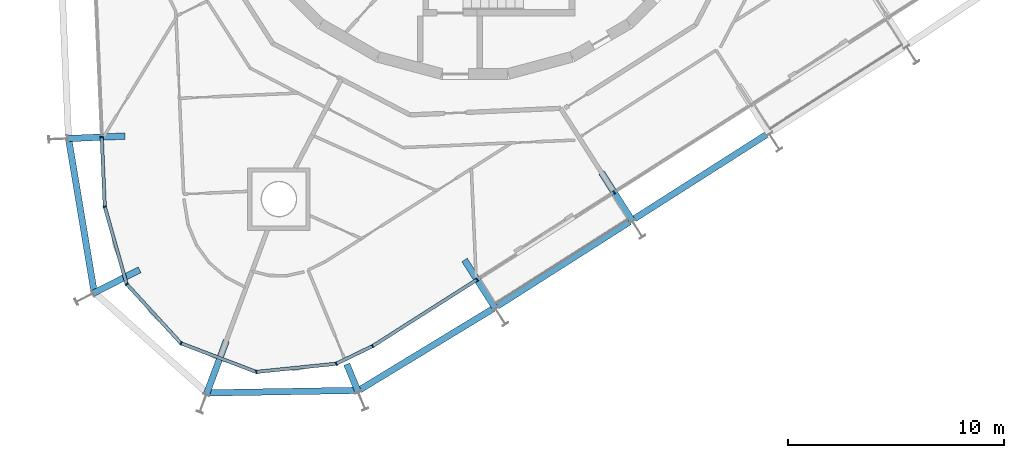
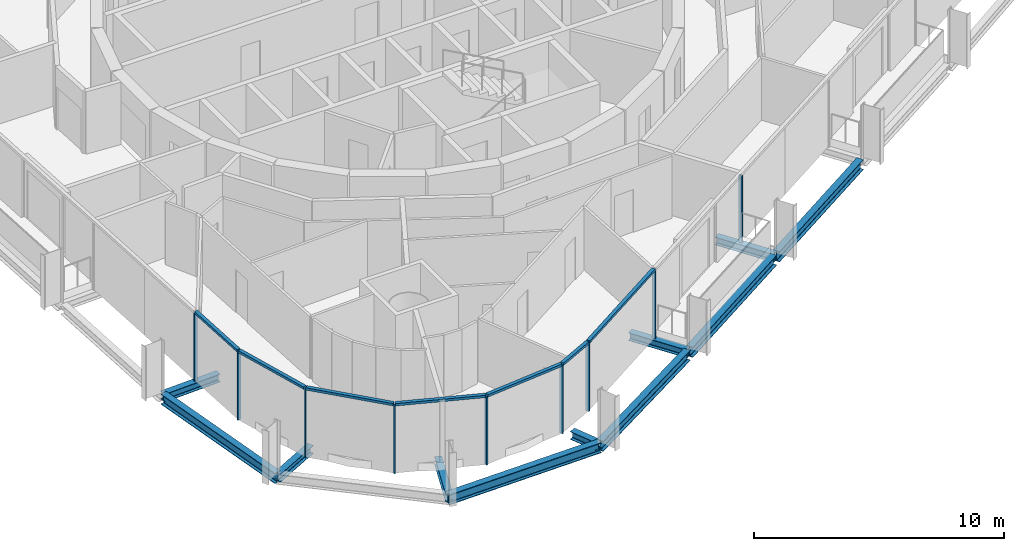
# One storey, part 2 of 18: 16 members, 11 beams, 2 elements without a shape of their own.
"""IFC4 building model written with IfcOpenShell, lengths in metres."""

from ifc_helpers import new_model, si_unit, direction, frame, origin, origin_2d, place, context, subcontext, project, spatial, rectangle, i_section, extrude, material, layer, layer_set, material_profile, profile_set, type_object, element, aggregate, save


model = new_model("IFC4")

# Units and contexts
model_context = context("Model", 3, precision=1e-05, world=origin(), true_north=direction((0.0, 1.0)))
body_context = subcontext(model_context, "Body", "Model", "MODEL_VIEW")
ifc_project = project(units=[si_unit("LENGTHUNIT", "METRE"), si_unit("AREAUNIT", "SQUARE_METRE"), si_unit("VOLUMEUNIT", "CUBIC_METRE"), si_unit("PLANEANGLEUNIT", "RADIAN"), si_unit("MASSUNIT", "GRAM", prefix="KILO")], contexts=[model_context])

# Site, building, storey
site_placement = place(None, origin())
site = spatial("IfcSite", under=ifc_project, at=site_placement, CompositionType="ELEMENT")
building_placement = place(site_placement, origin())
building = spatial("IfcBuilding", under=site, at=building_placement, Name="Spindle Arch Residences", CompositionType="ELEMENT")
storey_placement = place(building_placement, frame((0.0, 0.0, 254.699951171875)))
storey = spatial("IfcBuildingStorey", under=building, at=storey_placement, Name="L65", CompositionType="ELEMENT", Elevation=254.699951171875)

# Curtain wall, members
ifc_material_1 = material(Name="Aluminium bronze unitised frame with tinted glass", Category="aluminium")
ifc_layer_1 = layer(ifc_material_1, 0.159912109375)
ifc_layer_set_1 = layer_set([ifc_layer_1], Name="CW-D corner wall on the fillet arcs")
curtain_wall_type_1 = type_object("IfcCurtainWallType", Name="CW-D corner wall on the fillet arcs", PredefinedType="NOTDEFINED", material=ifc_layer_set_1)
curtain_wall_1_placement = place(storey_placement, origin())
curtain_wall_1 = element("IfcCurtainWall", 1, at=curtain_wall_1_placement, inside=storey, type_object=curtain_wall_type_1, Name="CW-D L65 run 5", PredefinedType="NOTDEFINED")
ifc_material_2 = material(Name="Aluminium bronze anodised mullion", Category="aluminium")
ifc_material_profile_1 = material_profile(ifc_material_2, rectangle(XDim=0.159912109375, YDim=0.06005859375, at=origin_2d()), Name="MU 60x160")
ifc_profile_set_1 = profile_set([ifc_material_profile_1], Name="Aluminium bronze anodised mullion")
member_type_1 = type_object("IfcMemberType", Name="Bronze mullion 60x160", PredefinedType="MULLION", material=ifc_profile_set_1)
member_1_placement = place(storey_placement, frame((-17.295166015625, -14.573486328125, -0.3798828125), z_axis=(0.0, 0.0, 1.0), x_axis=(0.999048221582, 0.043619387365, 0.0)))
member_1 = element("IfcMember", 2, at=member_1_placement, type_object=member_type_1, Name="CW-D mullion 00", PredefinedType="MULLION", context=body_context, shape_type="SweptSolid", body=[
    extrude(rectangle(XDim=0.159912109375, YDim=0.06005859375, at=origin_2d()), origin(), (0.0, 0.0, 1.0), 3.309814453125),
])
member_2_placement = place(storey_placement, frame((-17.154296875, -17.798828125, -0.3798828125), z_axis=(0.0, 0.0, 1.0), x_axis=(0.962059424213, 0.272839997585, 0.0)))
member_2 = element("IfcMember", 3, at=member_2_placement, type_object=member_type_1, Name="CW-D mullion 01", PredefinedType="MULLION", context=body_context, shape_type="SweptSolid", body=[
    extrude(rectangle(XDim=0.159912109375, YDim=0.06005859375, at=origin_2d()), origin(), (0.0, 0.0, 1.0), 3.309814453125),
])
member_3_placement = place(storey_placement, frame((-16.137451171875, -21.384033203125, -0.3798828125), z_axis=(0.0, 0.0, 1.0), x_axis=(0.737277336881, 0.675590207538, 0.0)))
member_3 = element("IfcMember", 4, at=member_3_placement, type_object=member_type_1, Name="CW-D mullion 02", PredefinedType="MULLION", context=body_context, shape_type="SweptSolid", body=[
    extrude(rectangle(XDim=0.159912109375, YDim=0.06005859375, at=origin_2d()), origin(), (0.0, 0.0, 1.0), 3.309814453125),
])
member_4_placement = place(storey_placement, frame((-13.61962890625, -24.1318359375, -0.3798828125), z_axis=(0.0, 0.0, 1.0), x_axis=(0.355650760994, 0.934618925661, 0.0)))
member_4 = element("IfcMember", 5, at=member_4_placement, type_object=member_type_1, Name="CW-D mullion 03", PredefinedType="MULLION", context=body_context, shape_type="SweptSolid", body=[
    extrude(rectangle(XDim=0.159912109375, YDim=0.06005859375, at=origin_2d()), origin(), (0.0, 0.0, 1.0), 3.309814453125),
])
member_5_placement = place(storey_placement, frame((-10.13671875, -25.457275390625, -0.3798828125), z_axis=(0.0, 0.0, 1.0), x_axis=(-0.10163508092, 0.994821748016, 0.0)))
member_5 = element("IfcMember", 6, at=member_5_placement, type_object=member_type_1, Name="CW-D mullion 04", PredefinedType="MULLION", context=body_context, shape_type="SweptSolid", body=[
    extrude(rectangle(XDim=0.159912109375, YDim=0.06005859375, at=origin_2d()), origin(), (0.0, 0.0, 1.0), 3.309814453125),
])
member_6_placement = place(storey_placement, frame((-6.42919921875, -25.078369140625, -0.3798828125), z_axis=(0.0, 0.0, 1.0), x_axis=(-0.435754813823, 0.900065409973, 0.0)))
member_6 = element("IfcMember", 7, at=member_6_placement, type_object=member_type_1, Name="CW-D mullion 05", PredefinedType="MULLION", context=body_context, shape_type="SweptSolid", body=[
    extrude(rectangle(XDim=0.159912109375, YDim=0.06005859375, at=origin_2d()), origin(), (0.0, 0.0, 1.0), 3.309814453125),
])
member_7_placement = place(storey_placement, frame((-4.74072265625, -24.260986328125, -0.3798828125), z_axis=(0.0, 0.0, 1.0), x_axis=(-0.537299608347, 0.843391445813, 0.0)))
member_7 = element("IfcMember", 8, at=member_7_placement, type_object=member_type_1, Name="CW-D mullion 06", PredefinedType="MULLION", context=body_context, shape_type="SweptSolid", body=[
    extrude(rectangle(XDim=0.159912109375, YDim=0.06005859375, at=origin_2d()), origin(), (0.0, 0.0, 1.0), 3.309814453125),
])

ifc_material_3 = material(Name="Aluminium bronze unitised frame with tinted glass", Category="aluminium")
ifc_layer_2 = layer(ifc_material_3, 0.159912109375)
ifc_layer_set_2 = layer_set([ifc_layer_2], Name="CW-C typical residential unitised wall")
curtain_wall_type_2 = type_object("IfcCurtainWallType", Name="CW-C typical residential unitised wall", PredefinedType="NOTDEFINED", material=ifc_layer_set_2)
curtain_wall_2_placement = place(storey_placement, origin())
curtain_wall_2 = element("IfcCurtainWall", 9, at=curtain_wall_2_placement, inside=storey, type_object=curtain_wall_type_2, Name="CW-C L65 run 6", PredefinedType="NOTDEFINED")
member_8_placement = place(storey_placement, frame((0.09912109375, -21.177734375, -0.3798828125), z_axis=(0.0, 0.0, 1.0), x_axis=(-0.537299608347, 0.843391445813, 0.0)))
member_8 = element("IfcMember", 10, at=member_8_placement, type_object=member_type_1, Name="CW-C mullion 20", PredefinedType="MULLION", context=body_context, shape_type="SweptSolid", body=[
    extrude(rectangle(XDim=0.159912109375, YDim=0.06005859375, at=origin_2d()), origin(), (0.0, 0.0, 1.0), 3.309814453125),
])
member_9_placement = place(storey_placement, frame((6.449951171875, -17.1318359375, -0.3798828125), z_axis=(0.0, 0.0, 1.0), x_axis=(-0.537299608347, 0.843391445813, 0.0)))
member_9 = element("IfcMember", 11, at=member_9_placement, type_object=member_type_1, Name="CW-C mullion 21", PredefinedType="MULLION", context=body_context, shape_type="SweptSolid", body=[
    extrude(rectangle(XDim=0.159912109375, YDim=0.06005859375, at=origin_2d()), origin(), (0.0, 0.0, 1.0), 3.309814453125),
])
aggregate(curtain_wall_2, [member_8, member_9])

# Member
ifc_material_4 = material(Name="Aluminium bronze anodised transom", Category="aluminium")
ifc_material_profile_2 = material_profile(ifc_material_4, rectangle(XDim=0.159912109375, YDim=0.1201171875, at=origin_2d()), Name="TR 120x160")
ifc_profile_set_2 = profile_set([ifc_material_profile_2], Name="Aluminium bronze anodised transom")
member_type_2 = type_object("IfcMemberType", Name="Bronze transom 120x160", PredefinedType="USERDEFINED", material=ifc_profile_set_2)
member_10_placement = place(storey_placement, frame((-17.293701171875, -14.603271484375, 2.989990234375), z_axis=(0.043611098121, -0.999048583464, 0.0), x_axis=(0.999048583464, 0.043611098121, 0.0)))
member_10 = element("IfcMember", 12, at=member_10_placement, type_object=member_type_2, Name="CW-D transom 00", ObjectType="TRANSOM", PredefinedType="USERDEFINED", context=body_context, shape_type="SweptSolid", body=[
    extrude(rectangle(XDim=0.159912109375, YDim=0.1201171875, at=origin_2d()), origin(), (0.0, 0.0, 1.0), 3.16845703125),
])

member_11_placement = place(storey_placement, frame((-17.146240234375, -17.82763671875, 2.989990234375), z_axis=(0.272856293247, -0.962054802616, 0.0), x_axis=(0.962054802616, 0.272856293247, 0.0)))
member_11 = element("IfcMember", 13, at=member_11_placement, type_object=member_type_2, Name="CW-D transom 01", ObjectType="TRANSOM", PredefinedType="USERDEFINED", context=body_context, shape_type="SweptSolid", body=[
    extrude(rectangle(XDim=0.159912109375, YDim=0.1201171875, at=origin_2d()), origin(), (0.0, 0.0, 1.0), 3.666748046875),
])

member_12_placement = place(storey_placement, frame((-16.1171875, -21.40625, 2.989990234375), z_axis=(0.675607033687, -0.737261918204, 0.0), x_axis=(0.737261918204, 0.675607033687, 0.0)))
member_12 = element("IfcMember", 14, at=member_12_placement, type_object=member_type_2, Name="CW-D transom 02", ObjectType="TRANSOM", PredefinedType="USERDEFINED", context=body_context, shape_type="SweptSolid", body=[
    extrude(rectangle(XDim=0.159912109375, YDim=0.1201171875, at=origin_2d()), origin(), (0.0, 0.0, 1.0), 3.666748046875),
])

member_13_placement = place(storey_placement, frame((-13.591796875, -24.142578125, 2.989990234375), z_axis=(0.934630056182, -0.355621509587, 0.0), x_axis=(0.355621509587, 0.934630056182, 0.0)))
member_13 = element("IfcMember", 15, at=member_13_placement, type_object=member_type_2, Name="CW-D transom 03", ObjectType="TRANSOM", PredefinedType="USERDEFINED", context=body_context, shape_type="SweptSolid", body=[
    extrude(rectangle(XDim=0.159912109375, YDim=0.1201171875, at=origin_2d()), origin(), (0.0, 0.0, 1.0), 3.666748046875),
])

member_14_placement = place(storey_placement, frame((-10.106689453125, -25.4541015625, 2.989990234375), z_axis=(0.994824669398, 0.101606481862, 0.0), x_axis=(-0.101606481862, 0.994824669398, 0.0)))
member_14 = element("IfcMember", 16, at=member_14_placement, type_object=member_type_2, Name="CW-D transom 04", ObjectType="TRANSOM", PredefinedType="USERDEFINED", context=body_context, shape_type="SweptSolid", body=[
    extrude(rectangle(XDim=0.159912109375, YDim=0.1201171875, at=origin_2d()), origin(), (0.0, 0.0, 1.0), 3.666748046875),
])

member_15_placement = place(storey_placement, frame((-6.402099609375, -25.0654296875, 2.989990234375), z_axis=(0.900028291694, 0.435831474484, 0.0), x_axis=(-0.435831474484, 0.900028291694, 0.0)))
member_15 = element("IfcMember", 17, at=member_15_placement, type_object=member_type_2, Name="CW-D transom 05", ObjectType="TRANSOM", PredefinedType="USERDEFINED", context=body_context, shape_type="SweptSolid", body=[
    extrude(rectangle(XDim=0.159912109375, YDim=0.1201171875, at=origin_2d()), origin(), (0.0, 0.0, 1.0), 1.816162109375),
])

member_16_placement = place(storey_placement, frame((-4.71533203125, -24.244873046875, 2.989990234375), z_axis=(0.843399381096, 0.537287152244, 0.0), x_axis=(-0.537287152244, 0.843399381096, 0.0)))
member_16 = element("IfcMember", 18, at=member_16_placement, type_object=member_type_2, Name="CW-D transom 06", ObjectType="TRANSOM", PredefinedType="USERDEFINED", context=body_context, shape_type="SweptSolid", body=[
    extrude(rectangle(XDim=0.159912109375, YDim=0.1201171875, at=origin_2d()), origin(), (0.0, 0.0, 1.0), 5.678466796875),
])

aggregate(curtain_wall_1, [member_1, member_10, member_2, member_11, member_3, member_12, member_4, member_13, member_5, member_14, member_6, member_15, member_7, member_16])

# Beams
ifc_material_5 = material(Name="Steel S460ML, intumescent coating R 120", Category="steel")
ifc_material_profile_3 = material_profile(ifc_material_5, i_section(OverallWidth=0.300048828125, OverallDepth=0.5, WebThickness=0.014404296875, FlangeThickness=0.028076171875, FilletRadius=0.027099609375, at=origin_2d()), Name="HEB 500")
ifc_profile_set_3 = profile_set([ifc_material_profile_3], Name="Steel S460ML, intumescent coating R 120")
beam_type_1 = type_object("IfcBeamType", Name="Exoskeleton edge beam HEB 500", PredefinedType="BEAM", material=ifc_profile_set_3)
beam_1_placement = place(storey_placement, frame((-18.82763671875, -14.66796875, -0.6298828125), z_axis=(0.164206425822, -0.986425998095, 0.0), x_axis=(0.986425998095, 0.164206425822, 0.0)))
element("IfcBeam", 19, at=beam_1_placement, inside=storey, type_object=beam_type_1, Name="Exoskeleton edge beam 17", PredefinedType="BEAM", context=body_context, shape_type="SweptSolid", body=[
    extrude(i_section(OverallWidth=0.300048828125, OverallDepth=0.5, WebThickness=0.014404296875, FlangeThickness=0.028076171875, FilletRadius=0.027099609375, at=origin_2d()), origin(), (0.0, 0.0, 1.0), 7.196044921875),
])
beam_2_placement = place(storey_placement, frame((-12.4775390625, -26.431884765625, -0.6298828125), z_axis=(0.999854421293, 0.017062714363, 0.0), x_axis=(-0.017062714363, 0.999854421293, 0.0)))
element("IfcBeam", 20, at=beam_2_placement, inside=storey, type_object=beam_type_1, Name="Exoskeleton edge beam 19", PredefinedType="BEAM", context=body_context, shape_type="SweptSolid", body=[
    extrude(i_section(OverallWidth=0.300048828125, OverallDepth=0.5, WebThickness=0.014404296875, FlangeThickness=0.028076171875, FilletRadius=0.027099609375, at=origin_2d()), origin(), (0.0, 0.0, 1.0), 7.096923828125),
])
beam_3_placement = place(storey_placement, frame((-5.353515625, -26.294921875, -0.6298828125), z_axis=(0.854518430604, 0.519421073656, 0.0), x_axis=(-0.519421073656, 0.854518430604, 0.0)))
element("IfcBeam", 21, at=beam_3_placement, inside=storey, type_object=beam_type_1, Name="Exoskeleton edge beam 20", PredefinedType="BEAM", context=body_context, shape_type="SweptSolid", body=[
    extrude(i_section(OverallWidth=0.300048828125, OverallDepth=0.5, WebThickness=0.014404296875, FlangeThickness=0.028076171875, FilletRadius=0.027099609375, at=origin_2d()), origin(), (0.0, 0.0, 1.0), 7.262451171875),
])
for number, where, z_axis, x_axis, name in (
    (22, (1.0361328125, -22.406494140625, -0.6298828125), (0.843406961456, 0.53727525289, 0.0), (-0.53727525289, 0.843406961456, 0.0), "Exoskeleton edge beam 21"),
    (23, (7.386962890625, -18.360595703125, -0.6298828125), (0.843406961456, 0.53727525289, 0.0), (-0.53727525289, 0.843406961456, 0.0), "Exoskeleton edge beam 22"),
):
    element("IfcBeam", number, at=place(storey_placement, frame(where, z_axis=z_axis, x_axis=x_axis)), inside=storey, type_object=beam_type_1, Name=name, PredefinedType="BEAM", context=body_context, shape_type="SweptSolid", body=[
        extrude(i_section(OverallWidth=0.300048828125, OverallDepth=0.5, WebThickness=0.014404296875, FlangeThickness=0.028076171875, FilletRadius=0.027099609375, at=origin_2d()), origin(), (0.0, 0.0, 1.0), 7.27001953125),
    ])
ifc_material_6 = material(Name="Steel S460ML, intumescent coating R 120", Category="steel")
ifc_material_profile_4 = material_profile(ifc_material_6, i_section(OverallWidth=0.300048828125, OverallDepth=0.389892578125, WebThickness=0.010986328125, FlangeThickness=0.01904296875, FilletRadius=0.027099609375, at=origin_2d()), Name="HEA 400")
ifc_profile_set_4 = profile_set([ifc_material_profile_4], Name="Steel S460ML, intumescent coating R 120")
beam_type_2 = type_object("IfcBeamType", Name="Floor outrigger HEA 400", PredefinedType="BEAM", material=ifc_profile_set_4)
beam_4_placement = place(storey_placement, frame((-18.863525390625, -14.641845703125, -0.574951171875), z_axis=(0.999049889571, 0.043581167368, 0.0), x_axis=(-0.043581167368, 0.999049889571, 0.0)))
element("IfcBeam", 24, at=beam_4_placement, inside=storey, type_object=beam_type_2, Name="Floor outrigger 17", PredefinedType="BEAM", context=body_context, shape_type="SweptSolid", body=[
    extrude(i_section(OverallWidth=0.300048828125, OverallDepth=0.389892578125, WebThickness=0.010986328125, FlangeThickness=0.01904296875, FilletRadius=0.027099609375, at=origin_2d()), origin(), (0.0, 0.0, 1.0), 2.649658203125),
])
beam_5_placement = place(storey_placement, frame((-17.687744140625, -21.812744140625, -0.574951171875), z_axis=(0.891781094186, 0.452467103835, 0.0), x_axis=(-0.452467103835, 0.891781094186, 0.0)))
element("IfcBeam", 25, at=beam_5_placement, inside=storey, type_object=beam_type_2, Name="Floor outrigger 18", PredefinedType="BEAM", context=body_context, shape_type="SweptSolid", body=[
    extrude(i_section(OverallWidth=0.300048828125, OverallDepth=0.389892578125, WebThickness=0.010986328125, FlangeThickness=0.01904296875, FilletRadius=0.027099609375, at=origin_2d()), origin(), (0.0, 0.0, 1.0), 2.4130859375),
])
beam_6_placement = place(storey_placement, frame((-12.442626953125, -26.4921875, -0.574951171875), z_axis=(0.348274434102, 0.937392617077, 0.0), x_axis=(-0.937392617077, 0.348274434102, 0.0)))
element("IfcBeam", 26, at=beam_6_placement, inside=storey, type_object=beam_type_2, Name="Floor outrigger 19", PredefinedType="BEAM", context=body_context, shape_type="SweptSolid", body=[
    extrude(i_section(OverallWidth=0.300048828125, OverallDepth=0.389892578125, WebThickness=0.010986328125, FlangeThickness=0.01904296875, FilletRadius=0.027099609375, at=origin_2d()), origin(), (0.0, 0.0, 1.0), 2.64990234375),
])
beam_7_placement = place(storey_placement, frame((-5.41455078125, -26.372314453125, -0.574951171875), z_axis=(-0.380108293875, 0.924941990034, 0.0), x_axis=(-0.924941990034, -0.380108293875, 0.0)))
element("IfcBeam", 27, at=beam_7_placement, inside=storey, type_object=beam_type_2, Name="Floor outrigger 20", PredefinedType="BEAM", context=body_context, shape_type="SweptSolid", body=[
    extrude(i_section(OverallWidth=0.300048828125, OverallDepth=0.389892578125, WebThickness=0.010986328125, FlangeThickness=0.01904296875, FilletRadius=0.027099609375, at=origin_2d()), origin(), (0.0, 0.0, 1.0), 1.37841796875),
])
for number, where, z_axis, x_axis, name in (
    (28, (0.942626953125, -22.501708984375, -0.574951171875), (-0.537316570745, 0.843380639334, 0.0), (-0.843380639334, -0.537316570745, 0.0), "Floor outrigger 21"),
    (29, (7.29345703125, -18.455810546875, -0.574951171875), (-0.537316570745, 0.843380639334, 0.0), (-0.843380639334, -0.537316570745, 0.0), "Floor outrigger 22"),
):
    element("IfcBeam", number, at=place(storey_placement, frame(where, z_axis=z_axis, x_axis=x_axis)), inside=storey, type_object=beam_type_2, Name=name, PredefinedType="BEAM", context=body_context, shape_type="SweptSolid", body=[
        extrude(i_section(OverallWidth=0.300048828125, OverallDepth=0.389892578125, WebThickness=0.010986328125, FlangeThickness=0.01904296875, FilletRadius=0.027099609375, at=origin_2d()), origin(), (0.0, 0.0, 1.0), 2.64990234375),
    ])

save(model, "model.ifc")
